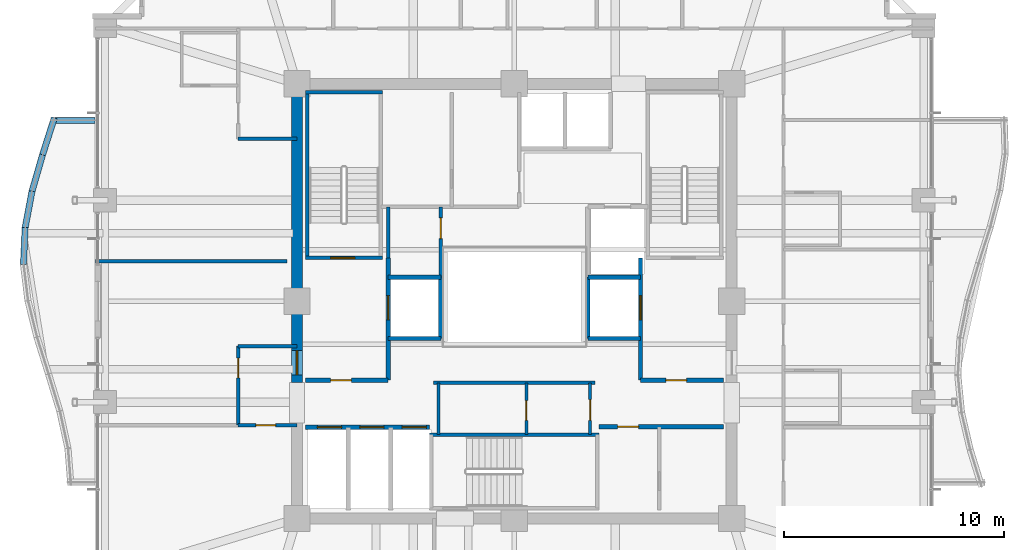
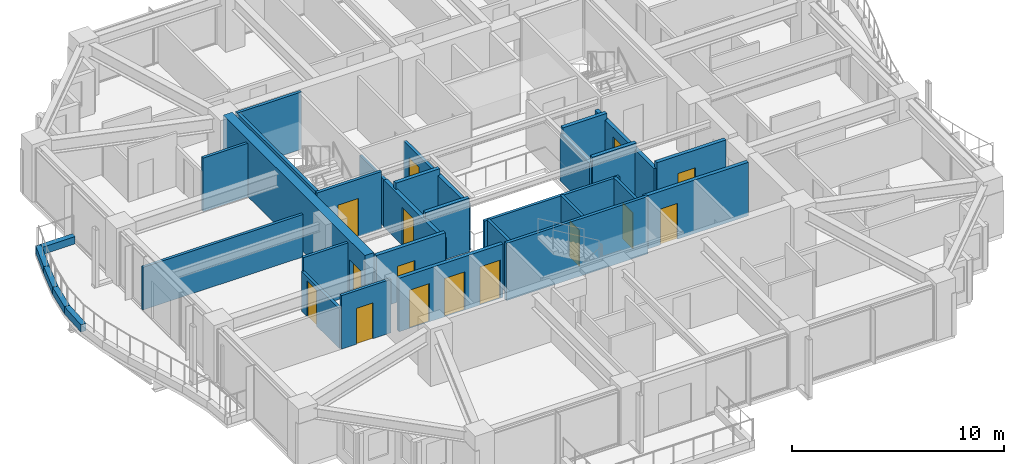
# One storey, part 32 of 38: 33 walls, 15 doors, 15 openings.
"""IFC4 building model written with IfcOpenShell, lengths in metres."""

from ifc_helpers import new_model, si_unit, direction, frame, frame_2d, origin, place, context, subcontext, project, spatial, rectangle, extrude, material, layer, layer_set, type_object, element, fill, save


model = new_model("IFC4")

# Units and contexts
model_context = context("Model", 3, precision=1e-05, world=origin(), true_north=direction((0.0, 1.0)))
body_context = subcontext(model_context, "Body", "Model", "MODEL_VIEW")
ifc_project = project(units=[si_unit("LENGTHUNIT", "METRE"), si_unit("AREAUNIT", "SQUARE_METRE"), si_unit("VOLUMEUNIT", "CUBIC_METRE"), si_unit("PLANEANGLEUNIT", "RADIAN"), si_unit("MASSUNIT", "GRAM", prefix="KILO")], contexts=[model_context])

# Site, building, storey
site_placement = place(None, origin())
site = spatial("IfcSite", under=ifc_project, at=site_placement, CompositionType="ELEMENT")
building_placement = place(site_placement, origin())
building = spatial("IfcBuilding", under=site, at=building_placement, Name="Kolvaren Belvedere", CompositionType="ELEMENT")
storey_placement = place(building_placement, frame((0.0, 0.0, 121.699951171875)))
storey = spatial("IfcBuildingStorey", under=building, at=storey_placement, Name="L35", CompositionType="ELEMENT", Elevation=121.699951171875)

# Wall, opening, door
ifc_material_1 = material(Name="Concrete C50/60", Category="concrete")
ifc_layer_1 = layer(ifc_material_1, 0.5)
ifc_layer_set_1 = layer_set([ifc_layer_1], Name="Concrete C50/60")
wall_type_1 = type_object("IfcWallType", Name="CW-CORE-500", PredefinedType="SHEAR", material=ifc_layer_set_1)
wall_1_placement = place(storey_placement, frame((-9.89990234375, -3.699951171875, 0.0), z_axis=(0.0, 0.0, 1.0), x_axis=(0.0, 1.0, 0.0)))
wall_1 = element("IfcWall", 1, at=wall_1_placement, inside=storey, type_object=wall_type_1, Name="L35 West Core Shear Wall 2", PredefinedType="SHEAR", context=body_context, shape_type="SweptSolid", body=[
    extrude(rectangle(XDim=13.349853515625, YDim=0.5, at=frame_2d((6.6748046875, 0.0))), origin(), (0.0, 0.0, 1.0), 3.300048828125),
])
opening_1_placement = place(wall_1_placement, frame((0.35009765625, 0.0, 0.0)))
opening_1 = element("IfcOpeningElement", 2, at=opening_1_placement, cuts=wall_1, Name="Opening D-FD90", PredefinedType="OPENING", context=body_context, shape_type="SweptSolid", body=[
    extrude(rectangle(XDim=1.10009765625, YDim=2.199951171875, at=frame_2d((0.550048828125, 1.10009765625))), frame((0.0, 0.260009765625, 0.0), z_axis=(0.0, -1.0, 0.0), x_axis=(1.0, 0.0, 0.0)), (0.0, 0.0, 1.0), 0.52001953125),
])
ifc_material_2 = material(Name="Painted hollow stainless steel", Category="steel")
door_type_1 = type_object("IfcDoorType", Name="DR-FD90-1100", OperationType="NOTDEFINED", PredefinedType="DOOR", material=ifc_material_2)
door_1_placement = place(opening_1_placement, origin())
door_1 = element("IfcDoor", 3, at=door_1_placement, inside=storey, type_object=door_type_1, Name="L35 West Firefighting Lobby Fire Door", OperationType="SINGLE_SWING_LEFT", OverallHeight=2.199951171875, OverallWidth=1.10009765625, PredefinedType="DOOR", context=body_context, shape_type="SweptSolid", body=[
    extrude(rectangle(XDim=1.10009765625, YDim=2.199951171875, at=frame_2d((0.550048828125, 1.10009765625))), frame((0.0, 0.02490234375, 0.0), z_axis=(0.0, -1.0, 0.0), x_axis=(1.0, 0.0, 0.0)), (0.0, 0.0, 1.0), 0.050048828125),
])
fill(opening_1, door_1)

ifc_material_3 = material(Name="Concrete C50/60", Category="concrete")
ifc_layer_2 = layer(ifc_material_3, 0.159912109375)
ifc_layer_set_2 = layer_set([ifc_layer_2], Name="Concrete C50/60")
wall_type_2 = type_object("IfcWallType", Name="CW-STAIR-160", PredefinedType="SHEAR", material=ifc_layer_set_2)
wall_2_placement = place(storey_placement, frame((-9.52001953125, 1.969970703125, 0.0), z_axis=(0.0, 0.0, 1.0), x_axis=(1.0, 0.0, 0.0)))
wall_2 = element("IfcWall", 4, at=wall_2_placement, inside=storey, type_object=wall_type_2, Name="L35 Stair ST-1 South Shear Wall", PredefinedType="SHEAR", context=body_context, shape_type="SweptSolid", body=[
    extrude(rectangle(XDim=3.52001953125, YDim=0.159912109375, at=frame_2d((1.760009765625, 0.0))), origin(), (0.0, 0.0, 1.0), 3.300048828125),
])
opening_2_placement = place(wall_2_placement, frame((1.14990234375, 0.0, 0.0)))
opening_2 = element("IfcOpeningElement", 5, at=opening_2_placement, cuts=wall_2, Name="Opening D-FD90", PredefinedType="OPENING", context=body_context, shape_type="SweptSolid", body=[
    extrude(rectangle(XDim=1.10009765625, YDim=2.199951171875, at=frame_2d((0.550048828125, 1.10009765625))), frame((0.0, 0.08984375, 0.0), z_axis=(0.0, -1.0, 0.0), x_axis=(1.0, 0.0, 0.0)), (0.0, 0.0, 1.0), 0.179931640625),
])
door_2_placement = place(opening_2_placement, origin())
door_2 = element("IfcDoor", 6, at=door_2_placement, inside=storey, type_object=door_type_1, Name="L35 Stair ST-1 Fire Door", OperationType="SINGLE_SWING_LEFT", OverallHeight=2.199951171875, OverallWidth=1.10009765625, PredefinedType="DOOR", context=body_context, shape_type="SweptSolid", body=[
    extrude(rectangle(XDim=1.10009765625, YDim=2.199951171875, at=frame_2d((0.550048828125, 1.10009765625))), frame((0.0, 0.02490234375, 0.0), z_axis=(0.0, -1.0, 0.0), x_axis=(1.0, 0.0, 0.0)), (0.0, 0.0, 1.0), 0.050048828125),
])
fill(opening_2, door_2)

# Walls
wall_3_placement = place(storey_placement, frame((-9.52001953125, 9.530029296875, 0.0), z_axis=(0.0, 0.0, 1.0), x_axis=(1.0, 0.0, 0.0)))
element("IfcWall", 7, at=wall_3_placement, inside=storey, type_object=wall_type_2, Name="L35 Stair ST-1 North Shear Wall", PredefinedType="SHEAR", context=body_context, shape_type="SweptSolid", body=[
    extrude(rectangle(XDim=3.52001953125, YDim=0.159912109375, at=frame_2d((1.760009765625, 0.0))), origin(), (0.0, 0.0, 1.0), 3.300048828125),
])
wall_4_placement = place(storey_placement, frame((-9.429931640625, 1.969970703125, 0.0), z_axis=(0.0, 0.0, 1.0), x_axis=(0.0, 1.0, 0.0)))
element("IfcWall", 8, at=wall_4_placement, inside=storey, type_object=wall_type_2, Name="L35 Stair ST-1 West Shear Wall", PredefinedType="SHEAR", context=body_context, shape_type="SweptSolid", body=[
    extrude(rectangle(XDim=7.56005859375, YDim=0.159912109375, at=frame_2d((3.780029296875, 0.0))), origin(), (0.0, 0.0, 1.0), 3.300048828125),
])
wall_5_placement = place(storey_placement, frame((-3.860107421875, -6.080078125, 0.0), z_axis=(0.0, 0.0, 1.0), x_axis=(1.0, 0.0, 0.0)))
element("IfcWall", 9, at=wall_5_placement, inside=storey, type_object=wall_type_2, Name="L35 Stair ST-3 North Shear Wall", PredefinedType="SHEAR", context=body_context, shape_type="SweptSolid", body=[
    extrude(rectangle(XDim=7.72021484375, YDim=0.159912109375, at=frame_2d((3.860107421875, 0.0))), origin(), (0.0, 0.0, 1.0), 3.300048828125),
])
ifc_material_4 = material(Name="Gypsum fire-rated partition assembly", Category="gypsum")
ifc_layer_3 = layer(ifc_material_4, 0.14990234375)
ifc_layer_set_3 = layer_set([ifc_layer_3], Name="Gypsum fire-rated partition assembly")
wall_type_3 = type_object("IfcWallType", Name="WL-CORR-150", PredefinedType="PARTITIONING", material=ifc_layer_set_3)
wall_6_placement = place(storey_placement, frame((-12.580078125, 7.39990234375, 0.0), z_axis=(0.0, 0.0, 1.0), x_axis=(1.0, 0.0, 0.0)))
element("IfcWall", 10, at=wall_6_placement, inside=storey, type_object=wall_type_3, Name="L35 NW Core Closure Wall", PredefinedType="PARTITIONING", context=body_context, shape_type="SweptSolid", body=[
    extrude(rectangle(XDim=2.68017578125, YDim=0.14990234375, at=frame_2d((1.340087890625, 0.0))), origin(), (0.0, 0.0, 1.0), 3.080078125),
])

# Wall, opening, door
wall_7_placement = place(storey_placement, frame((-12.580078125, -5.64990234375, 0.0), z_axis=(0.0, 0.0, 1.0), x_axis=(0.0, 1.0, 0.0)))
wall_7 = element("IfcWall", 11, at=wall_7_placement, inside=storey, type_object=wall_type_3, Name="L35 West FSAE Pocket Wall", PredefinedType="PARTITIONING", context=body_context, shape_type="SweptSolid", body=[
    extrude(rectangle(XDim=3.599853515625, YDim=0.14990234375, at=frame_2d((1.7998046875, 0.0))), origin(), (0.0, 0.0, 1.0), 2.2919921875),
])
opening_3_placement = place(wall_7_placement, frame((2.15625, 0.0, 0.0)))
opening_3 = element("IfcOpeningElement", 12, at=opening_3_placement, cuts=wall_7, Name="Opening D-INT90", PredefinedType="OPENING", context=body_context, shape_type="SweptSolid", body=[
    extrude(rectangle(XDim=0.89990234375, YDim=2.06005859375, at=frame_2d((0.449951171875, 1.030029296875))), frame((0.0, 0.0849609375, 0.0), z_axis=(0.0, -1.0, 0.0), x_axis=(1.0, 0.0, 0.0)), (0.0, 0.0, 1.0), 0.169921875),
])
ifc_material_5 = material(Name="Stained Pacific white oak", Category="timber")
door_type_2 = type_object("IfcDoorType", Name="DR-INT-900", OperationType="NOTDEFINED", PredefinedType="DOOR", material=ifc_material_5)
door_3_placement = place(opening_3_placement, origin())
door_3 = element("IfcDoor", 13, at=door_3_placement, inside=storey, type_object=door_type_2, Name="L35 Lounge 3510 Door", OperationType="SINGLE_SWING_LEFT", OverallHeight=2.06005859375, OverallWidth=0.89990234375, PredefinedType="DOOR", context=body_context, shape_type="SweptSolid", body=[
    extrude(rectangle(XDim=0.89990234375, YDim=2.06005859375, at=frame_2d((0.449951171875, 1.030029296875))), frame((0.0, 0.02490234375, 0.0), z_axis=(0.0, -1.0, 0.0), x_axis=(1.0, 0.0, 0.0)), (0.0, 0.0, 1.0), 0.050048828125),
])
fill(opening_3, door_3)

# Wall
wall_8_placement = place(storey_placement, frame((-12.580078125, -2.050048828125, 0.0), z_axis=(0.0, 0.0, 1.0), x_axis=(1.0, 0.0, 0.0)))
element("IfcWall", 14, at=wall_8_placement, inside=storey, type_object=wall_type_3, Name="L35 West Pocket North Closure Wall", PredefinedType="PARTITIONING", context=body_context, shape_type="SweptSolid", body=[
    extrude(rectangle(XDim=2.68017578125, YDim=0.14990234375, at=frame_2d((1.340087890625, 0.0))), origin(), (0.0, 0.0, 1.0), 3.080078125),
])

# Wall, opening, door
wall_9_placement = place(storey_placement, frame((-12.580078125, -5.64990234375, 0.0), z_axis=(0.0, 0.0, 1.0), x_axis=(1.0, 0.0, 0.0)))
wall_9 = element("IfcWall", 15, at=wall_9_placement, inside=storey, type_object=wall_type_3, Name="L35 West Pocket South Closure Wall", PredefinedType="PARTITIONING", context=body_context, shape_type="SweptSolid", body=[
    extrude(rectangle(XDim=2.68017578125, YDim=0.14990234375, at=frame_2d((1.340087890625, 0.0))), origin(), (0.0, 0.0, 1.0), 3.080078125),
])
opening_4_placement = place(wall_9_placement, frame((0.80615234375, 0.0, 0.0)))
opening_4 = element("IfcOpeningElement", 16, at=opening_4_placement, cuts=wall_9, Name="Opening D-INT90", PredefinedType="OPENING", context=body_context, shape_type="SweptSolid", body=[
    extrude(rectangle(XDim=0.89990234375, YDim=2.06005859375, at=frame_2d((0.449951171875, 1.030029296875))), frame((0.0, 0.0849609375, 0.0), z_axis=(0.0, -1.0, 0.0), x_axis=(1.0, 0.0, 0.0)), (0.0, 0.0, 1.0), 0.169921875),
])
door_4_placement = place(opening_4_placement, origin())
door_4 = element("IfcDoor", 17, at=door_4_placement, inside=storey, type_object=door_type_2, Name="L35 Lounge 3511 Door", OperationType="SINGLE_SWING_RIGHT", OverallHeight=2.06005859375, OverallWidth=0.89990234375, PredefinedType="DOOR", context=body_context, shape_type="SweptSolid", body=[
    extrude(rectangle(XDim=0.89990234375, YDim=2.06005859375, at=frame_2d((0.449951171875, 1.030029296875))), frame((0.0, 0.02490234375, 0.0), z_axis=(0.0, -1.0, 0.0), x_axis=(1.0, 0.0, 0.0)), (0.0, 0.0, 1.0), 0.050048828125),
])
fill(opening_4, door_4)

# Wall
ifc_material_6 = material(Name="Gypsum acoustic partition assembly", Category="gypsum")
ifc_layer_4 = layer(ifc_material_6, 0.14990234375)
ifc_layer_set_4 = layer_set([ifc_layer_4], Name="Gypsum acoustic partition assembly")
wall_type_4 = type_object("IfcWallType", Name="WL-PART-150", PredefinedType="PARTITIONING", material=ifc_layer_set_4)
wall_10_placement = place(storey_placement, frame((-3.679931640625, -3.719970703125, 0.0), z_axis=(0.0, 0.0, 1.0), x_axis=(1.0, 0.0, 0.0)))
element("IfcWall", 18, at=wall_10_placement, inside=storey, type_object=wall_type_4, Name="L35 South Core Service North Wall", PredefinedType="PARTITIONING", context=body_context, shape_type="SweptSolid", body=[
    extrude(rectangle(XDim=7.35986328125, YDim=0.14990234375, at=frame_2d((3.679931640625, 0.0))), origin(), (0.0, 0.0, 1.0), 3.080078125),
])

# Wall, opening, door
wall_11_placement = place(storey_placement, frame((3.449951171875, -6.080078125, 0.0), z_axis=(0.0, 0.0, 1.0), x_axis=(0.0, 1.0, 0.0)))
wall_11 = element("IfcWall", 19, at=wall_11_placement, inside=storey, type_object=wall_type_4, Name="L35 South Core Service East Wall", PredefinedType="PARTITIONING", context=body_context, shape_type="SweptSolid", body=[
    extrude(rectangle(XDim=2.360107421875, YDim=0.14990234375, at=frame_2d((1.18017578125, 0.0))), origin(), (0.0, 0.0, 1.0), 3.080078125),
])
opening_5_placement = place(wall_11_placement, frame((0.64990234375, 0.0, 0.0)))
opening_5 = element("IfcOpeningElement", 20, at=opening_5_placement, cuts=wall_11, Name="Opening D-FD60", PredefinedType="OPENING", context=body_context, shape_type="SweptSolid", body=[
    extrude(rectangle(XDim=0.949951171875, YDim=2.06005859375, at=frame_2d((0.47509765625, 1.030029296875))), frame((0.0, 0.0849609375, 0.0), z_axis=(0.0, -1.0, 0.0), x_axis=(1.0, 0.0, 0.0)), (0.0, 0.0, 1.0), 0.169921875),
])
ifc_material_7 = material(Name="Acoustic white-oak fire door leaf", Category="timber")
door_type_3 = type_object("IfcDoorType", Name="DR-FD60-950", OperationType="NOTDEFINED", PredefinedType="DOOR", material=ifc_material_7)
door_5_placement = place(opening_5_placement, origin())
door_5 = element("IfcDoor", 21, at=door_5_placement, inside=storey, type_object=door_type_3, Name="L35 Core Service Room Door", OperationType="SINGLE_SWING_LEFT", OverallHeight=2.06005859375, OverallWidth=0.949951171875, PredefinedType="DOOR", context=body_context, shape_type="SweptSolid", body=[
    extrude(rectangle(XDim=0.949951171875, YDim=2.06005859375, at=frame_2d((0.47509765625, 1.030029296875))), frame((0.0, 0.02490234375, 0.0), z_axis=(0.0, -1.0, 0.0), x_axis=(1.0, 0.0, 0.0)), (0.0, 0.0, 1.0), 0.050048828125),
])
fill(opening_5, door_5)

# Wall
wall_12_placement = place(storey_placement, frame((-3.449951171875, -6.080078125, 0.0), z_axis=(0.0, 0.0, 1.0), x_axis=(0.0, 1.0, 0.0)))
element("IfcWall", 22, at=wall_12_placement, inside=storey, type_object=wall_type_4, Name="L35 South Core Service West Wall", PredefinedType="PARTITIONING", context=body_context, shape_type="SweptSolid", body=[
    extrude(rectangle(XDim=2.360107421875, YDim=0.14990234375, at=frame_2d((1.18017578125, 0.0))), origin(), (0.0, 0.0, 1.0), 3.080078125),
])

# Wall, opening, door
wall_13_placement = place(storey_placement, frame((0.550048828125, -6.080078125, 0.0), z_axis=(0.0, 0.0, 1.0), x_axis=(0.0, 1.0, 0.0)))
wall_13 = element("IfcWall", 23, at=wall_13_placement, inside=storey, type_object=wall_type_4, Name="L35 Core Service Divider", PredefinedType="PARTITIONING", context=body_context, shape_type="SweptSolid", body=[
    extrude(rectangle(XDim=2.360107421875, YDim=0.14990234375, at=frame_2d((1.18017578125, 0.0))), origin(), (0.0, 0.0, 1.0), 3.080078125),
])
opening_6_placement = place(wall_13_placement, frame((0.64990234375, 0.0, 0.0)))
opening_6 = element("IfcOpeningElement", 24, at=opening_6_placement, cuts=wall_13, Name="Opening D-INT90", PredefinedType="OPENING", context=body_context, shape_type="SweptSolid", body=[
    extrude(rectangle(XDim=0.89990234375, YDim=2.06005859375, at=frame_2d((0.449951171875, 1.030029296875))), frame((0.0, 0.0849609375, 0.0), z_axis=(0.0, -1.0, 0.0), x_axis=(1.0, 0.0, 0.0)), (0.0, 0.0, 1.0), 0.169921875),
])
door_6_placement = place(opening_6_placement, origin())
door_6 = element("IfcDoor", 25, at=door_6_placement, inside=storey, type_object=door_type_2, Name="L35 BMS Inner Door", OperationType="SINGLE_SWING_LEFT", OverallHeight=2.06005859375, OverallWidth=0.89990234375, PredefinedType="DOOR", context=body_context, shape_type="SweptSolid", body=[
    extrude(rectangle(XDim=0.89990234375, YDim=2.06005859375, at=frame_2d((0.449951171875, 1.030029296875))), frame((0.0, 0.02490234375, 0.0), z_axis=(0.0, -1.0, 0.0), x_axis=(1.0, 0.0, 0.0)), (0.0, 0.0, 1.0), 0.050048828125),
])
fill(opening_6, door_6)

wall_14_placement = place(storey_placement, frame((-3.35009765625, 1.10009765625, 0.0), z_axis=(0.0, 0.0, 1.0), x_axis=(0.0, 1.0, 0.0)))
wall_14 = element("IfcWall", 26, at=wall_14_placement, inside=storey, type_object=wall_type_4, Name="L35 NW Service Room East Wall", PredefinedType="PARTITIONING", context=body_context, shape_type="SweptSolid", body=[
    extrude(rectangle(XDim=3.199951171875, YDim=0.14990234375, at=frame_2d((1.60009765625, 0.0))), origin(), (0.0, 0.0, 1.0), 2.715087890625),
])
opening_7_placement = place(wall_14_placement, frame((1.75, 0.0, 0.0)))
opening_7 = element("IfcOpeningElement", 27, at=opening_7_placement, cuts=wall_14, Name="Opening D-FD60", PredefinedType="OPENING", context=body_context, shape_type="SweptSolid", body=[
    extrude(rectangle(XDim=0.949951171875, YDim=2.06005859375, at=frame_2d((0.47509765625, 1.030029296875))), frame((0.0, 0.0849609375, 0.0), z_axis=(0.0, -1.0, 0.0), x_axis=(1.0, 0.0, 0.0)), (0.0, 0.0, 1.0), 0.169921875),
])
door_7_placement = place(opening_7_placement, origin())
door_7 = element("IfcDoor", 28, at=door_7_placement, inside=storey, type_object=door_type_3, Name="L35 NW Core Store Door", OperationType="SINGLE_SWING_LEFT", OverallHeight=2.06005859375, OverallWidth=0.949951171875, PredefinedType="DOOR", context=body_context, shape_type="SweptSolid", body=[
    extrude(rectangle(XDim=0.949951171875, YDim=2.06005859375, at=frame_2d((0.47509765625, 1.030029296875))), frame((0.0, 0.02490234375, 0.0), z_axis=(0.0, -1.0, 0.0), x_axis=(1.0, 0.0, 0.0)), (0.0, 0.0, 1.0), 0.050048828125),
])
fill(opening_7, door_7)

# Walls
wall_15_placement = place(storey_placement, frame((-5.75, 1.969970703125, 0.0), z_axis=(0.0, 0.0, 1.0), x_axis=(0.0, 1.0, 0.0)))
element("IfcWall", 29, at=wall_15_placement, inside=storey, type_object=wall_type_4, Name="L35 NW Service Room West Wall", PredefinedType="PARTITIONING", context=body_context, shape_type="SweptSolid", body=[
    extrude(rectangle(XDim=2.330078125, YDim=0.14990234375, at=frame_2d((1.1650390625, 0.0))), origin(), (0.0, 0.0, 1.0), 2.715087890625),
])
wall_16_placement = place(storey_placement, frame((-19.080078125, 1.820068359375, 0.0), z_axis=(0.0, 0.0, 1.0), x_axis=(1.0, 0.0, 0.0)))
element("IfcWall", 30, at=wall_16_placement, inside=storey, type_object=wall_type_4, Name="L35 West Upper Suite Divider", PredefinedType="PARTITIONING", context=body_context, shape_type="SweptSolid", body=[
    extrude(rectangle(XDim=8.719970703125, YDim=0.14990234375, at=frame_2d((4.35986328125, 0.0))), origin(), (0.0, 0.0, 1.0), 2.448974609375),
])
ifc_material_8 = material(Name="Precast concrete C40/50", Category="concrete")
ifc_layer_5 = layer(ifc_material_8, 0.300048828125)
ifc_layer_set_5 = layer_set([ifc_layer_5], Name="Precast concrete C40/50")
wall_type_5 = type_object("IfcWallType", Name="WL-PLANTER-300", PredefinedType="PARAPET", material=ifc_layer_set_5)
wall_17_placement = place(storey_placement, frame((-20.953857421875, 8.351318359375, -0.0400390625), z_axis=(0.0, 0.0, 1.0), x_axis=(-0.304032153573, -0.952661770826, 0.0)))
element("IfcWall", 31, at=wall_17_placement, inside=storey, type_object=wall_type_5, Name="L35 Precast Structural Planter Wall BAL-W-1", PredefinedType="PARAPET", context=body_context, shape_type="SweptSolid", body=[
    extrude(rectangle(XDim=1.763427734375, YDim=0.280029296875, at=frame_2d((0.8818359375, 0.0))), origin(), (0.0, 0.0, 1.0), 0.420166015625),
])
wall_18_placement = place(storey_placement, frame((-21.48876953125, 6.675537109375, -0.0400390625), z_axis=(0.0, 0.0, 1.0), x_axis=(-0.277817391164, -0.960633903819, 0.0)))
element("IfcWall", 32, at=wall_18_placement, inside=storey, type_object=wall_type_5, Name="L35 Precast Structural Planter Wall BAL-W-2", PredefinedType="PARAPET", context=body_context, shape_type="SweptSolid", body=[
    extrude(rectangle(XDim=1.748779296875, YDim=0.280029296875, at=frame_2d((0.87451171875, 0.0))), origin(), (0.0, 0.0, 1.0), 0.420166015625),
])
wall_19_placement = place(storey_placement, frame((-21.97119140625, 5.010498046875, -0.0400390625), z_axis=(0.0, 0.0, 1.0), x_axis=(-0.184788595231, -0.982778293957, 0.0)))
element("IfcWall", 33, at=wall_19_placement, inside=storey, type_object=wall_type_5, Name="L35 Precast Structural Planter Wall BAL-W-3", PredefinedType="PARAPET", context=body_context, shape_type="SweptSolid", body=[
    extrude(rectangle(XDim=1.709716796875, YDim=0.280029296875, at=frame_2d((0.85498046875, 0.0))), origin(), (0.0, 0.0, 1.0), 0.420166015625),
])
wall_20_placement = place(storey_placement, frame((-22.284423828125, 3.352783203125, -0.0400390625), z_axis=(0.0, 0.0, 1.0), x_axis=(-0.045005941428, -0.998986719249, 0.0)))
element("IfcWall", 34, at=wall_20_placement, inside=storey, type_object=wall_type_5, Name="L35 Precast Structural Planter Wall BAL-W-4", PredefinedType="PARAPET", context=body_context, shape_type="SweptSolid", body=[
    extrude(rectangle(XDim=1.681640625, YDim=0.280029296875, at=frame_2d((0.8408203125, 0.0))), origin(), (0.0, 0.0, 1.0), 0.420166015625),
])
wall_21_placement = place(storey_placement, frame((-19.10009765625, 8.239990234375, -0.0400390625), z_axis=(0.0, 0.0, 1.0), x_axis=(-1.0, 0.0, 0.0)))
element("IfcWall", 35, at=wall_21_placement, inside=storey, type_object=wall_type_5, Name="L35 Precast Structural Planter Wall BAL-W-22", PredefinedType="PARAPET", context=body_context, shape_type="SweptSolid", body=[
    extrude(rectangle(XDim=2.006103515625, YDim=0.280029296875, at=frame_2d((1.0029296875, 0.0))), origin(), (0.0, 0.0, 1.0), 0.420166015625),
])

# Wall, opening, door
ifc_material_9 = material(Name="Concrete C50/60", Category="concrete")
ifc_layer_6 = layer(ifc_material_9, 0.199951171875)
ifc_layer_set_6 = layer_set([ifc_layer_6], Name="Concrete C50/60")
wall_type_6 = type_object("IfcWallType", Name="WL-SHAFT-200", PredefinedType="SOLIDWALL", material=ifc_layer_set_6)
wall_22_placement = place(storey_placement, frame((-9.52001953125, -3.60009765625, 0.0), z_axis=(0.0, 0.0, 1.0), x_axis=(1.0, 0.0, 0.0)))
wall_22 = element("IfcWall", 36, at=wall_22_placement, inside=storey, type_object=wall_type_6, Name="L35 West FSAE Lobby South Wall", PredefinedType="SOLIDWALL", context=body_context, shape_type="SweptSolid", body=[
    extrude(rectangle(XDim=3.77001953125, YDim=0.199951171875, at=frame_2d((1.885009765625, 0.0))), origin(), (0.0, 0.0, 1.0), 3.080078125),
])
opening_8_placement = place(wall_22_placement, frame((1.14990234375, 0.0, 0.0)))
opening_8 = element("IfcOpeningElement", 37, at=opening_8_placement, cuts=wall_22, Name="Opening D-FD60", PredefinedType="OPENING", context=body_context, shape_type="SweptSolid", body=[
    extrude(rectangle(XDim=0.949951171875, YDim=2.06005859375, at=frame_2d((0.47509765625, 1.030029296875))), frame((0.0, 0.10986328125, 0.0), z_axis=(0.0, -1.0, 0.0), x_axis=(1.0, 0.0, 0.0)), (0.0, 0.0, 1.0), 0.219970703125),
])
door_8_placement = place(opening_8_placement, origin())
door_8 = element("IfcDoor", 38, at=door_8_placement, inside=storey, type_object=door_type_3, Name="L35 Mid-Rise Lift Lobby Fire Door", OperationType="SINGLE_SWING_LEFT", OverallHeight=2.06005859375, OverallWidth=0.949951171875, PredefinedType="DOOR", context=body_context, shape_type="SweptSolid", body=[
    extrude(rectangle(XDim=0.949951171875, YDim=2.06005859375, at=frame_2d((0.47509765625, 1.030029296875))), frame((0.0, 0.02490234375, 0.0), z_axis=(0.0, -1.0, 0.0), x_axis=(1.0, 0.0, 0.0)), (0.0, 0.0, 1.0), 0.050048828125),
])
fill(opening_8, door_8)

wall_23_placement = place(storey_placement, frame((-5.75, -3.60009765625, 0.0), z_axis=(0.0, 0.0, 1.0), x_axis=(0.0, 1.0, 0.0)))
wall_23 = element("IfcWall", 39, at=wall_23_placement, inside=storey, type_object=wall_type_6, Name="L35 FSAE FS1 Landing Wall", PredefinedType="SOLIDWALL", context=body_context, shape_type="SweptSolid", body=[
    extrude(rectangle(XDim=5.570068359375, YDim=0.199951171875, at=frame_2d((2.78515625, 0.0))), origin(), (0.0, 0.0, 1.0), 2.715087890625),
])
opening_9_placement = place(wall_23_placement, frame((2.75, 0.0, 0.0)))
opening_9 = element("IfcOpeningElement", 40, at=opening_9_placement, cuts=wall_23, Name="Opening LD-11", PredefinedType="OPENING", context=body_context, shape_type="SweptSolid", body=[
    extrude(rectangle(XDim=1.10009765625, YDim=2.199951171875, at=frame_2d((0.550048828125, 1.10009765625))), frame((0.0, 0.10986328125, 0.0), z_axis=(0.0, -1.0, 0.0), x_axis=(1.0, 0.0, 0.0)), (0.0, 0.0, 1.0), 0.219970703125),
])
ifc_material_10 = material(Name="Brushed stainless steel", Category="steel")
door_type_4 = type_object("IfcDoorType", Name="DR-LIFT-1100", OperationType="DOUBLE_DOOR_SLIDING", PredefinedType="DOOR", material=ifc_material_10)
door_9_placement = place(opening_9_placement, origin())
door_9 = element("IfcDoor", 41, at=door_9_placement, inside=storey, type_object=door_type_4, Name="L35 Firefighting Lift FS1 Landing Door", OperationType="DOUBLE_DOOR_SLIDING", OverallHeight=2.199951171875, OverallWidth=1.10009765625, PredefinedType="DOOR", context=body_context, shape_type="SweptSolid", body=[
    extrude(rectangle(XDim=1.10009765625, YDim=2.199951171875, at=frame_2d((0.550048828125, 1.10009765625))), frame((0.0, 0.02490234375, 0.0), z_axis=(0.0, -1.0, 0.0), x_axis=(1.0, 0.0, 0.0)), (0.0, 0.0, 1.0), 0.050048828125),
])
fill(opening_9, door_9)

# Walls
wall_24_placement = place(storey_placement, frame((-3.35009765625, -1.699951171875, 0.0), z_axis=(0.0, 0.0, 1.0), x_axis=(0.0, 1.0, 0.0)))
element("IfcWall", 42, at=wall_24_placement, inside=storey, type_object=wall_type_6, Name="L35 FSAE FS1 Back Wall", PredefinedType="SOLIDWALL", context=body_context, shape_type="SweptSolid", body=[
    extrude(rectangle(XDim=2.800048828125, YDim=0.199951171875, at=frame_2d((1.39990234375, 0.0))), origin(), (0.0, 0.0, 1.0), 2.715087890625),
])
for number, where, z_axis, x_axis, name in (
    (43, (-5.75, -1.699951171875, 0.0), (0.0, 0.0, 1.0), (1.0, 0.0, 0.0), "L35 FSAE FS1 South Wall"),
    (44, (-5.75, 1.10009765625, 0.0), (0.0, 0.0, 1.0), (1.0, 0.0, 0.0), "L35 FSAE FS1 North Wall"),
):
    element("IfcWall", number, at=place(storey_placement, frame(where, z_axis=z_axis, x_axis=x_axis)), inside=storey, type_object=wall_type_6, Name=name, PredefinedType="SOLIDWALL", context=body_context, shape_type="SweptSolid", body=[
        extrude(rectangle(XDim=2.39990234375, YDim=0.199951171875, at=frame_2d((1.199951171875, 0.0))), origin(), (0.0, 0.0, 1.0), 3.080078125),
    ])

# Wall, opening, door
wall_25_placement = place(storey_placement, frame((5.75, -3.60009765625, 0.0), z_axis=(0.0, 0.0, 1.0), x_axis=(1.0, 0.0, 0.0)))
wall_25 = element("IfcWall", 45, at=wall_25_placement, inside=storey, type_object=wall_type_6, Name="L35 East FSAE Lobby South Wall", PredefinedType="SOLIDWALL", context=body_context, shape_type="SweptSolid", body=[
    extrude(rectangle(XDim=3.77001953125, YDim=0.199951171875, at=frame_2d((1.885009765625, 0.0))), origin(), (0.0, 0.0, 1.0), 3.080078125),
])
opening_10_placement = place(wall_25_placement, frame((1.14990234375, 0.0, 0.0)))
opening_10 = element("IfcOpeningElement", 46, at=opening_10_placement, cuts=wall_25, Name="Opening D-FD60", PredefinedType="OPENING", context=body_context, shape_type="SweptSolid", body=[
    extrude(rectangle(XDim=0.949951171875, YDim=2.06005859375, at=frame_2d((0.47509765625, 1.030029296875))), frame((0.0, 0.10986328125, 0.0), z_axis=(0.0, -1.0, 0.0), x_axis=(1.0, 0.0, 0.0)), (0.0, 0.0, 1.0), 0.219970703125),
])
door_10_placement = place(opening_10_placement, origin())
door_10 = element("IfcDoor", 47, at=door_10_placement, inside=storey, type_object=door_type_3, Name="L35 SE Lift Lobby Fire Door", OperationType="SINGLE_SWING_RIGHT", OverallHeight=2.06005859375, OverallWidth=0.949951171875, PredefinedType="DOOR", context=body_context, shape_type="SweptSolid", body=[
    extrude(rectangle(XDim=0.949951171875, YDim=2.06005859375, at=frame_2d((0.47509765625, 1.030029296875))), frame((0.0, 0.02490234375, 0.0), z_axis=(0.0, -1.0, 0.0), x_axis=(1.0, 0.0, 0.0)), (0.0, 0.0, 1.0), 0.050048828125),
])
fill(opening_10, door_10)

wall_26_placement = place(storey_placement, frame((5.75, -3.60009765625, 0.0), z_axis=(0.0, 0.0, 1.0), x_axis=(0.0, 1.0, 0.0)))
wall_26 = element("IfcWall", 48, at=wall_26_placement, inside=storey, type_object=wall_type_6, Name="L35 FSAE FS2 Landing Wall", PredefinedType="SOLIDWALL", context=body_context, shape_type="SweptSolid", body=[
    extrude(rectangle(XDim=5.570068359375, YDim=0.199951171875, at=frame_2d((2.78515625, 0.0))), origin(), (0.0, 0.0, 1.0), 2.715087890625),
])
opening_11_placement = place(wall_26_placement, frame((2.75, 0.0, 0.0)))
opening_11 = element("IfcOpeningElement", 49, at=opening_11_placement, cuts=wall_26, Name="Opening LD-11", PredefinedType="OPENING", context=body_context, shape_type="SweptSolid", body=[
    extrude(rectangle(XDim=1.10009765625, YDim=2.199951171875, at=frame_2d((0.550048828125, 1.10009765625))), frame((0.0, 0.10986328125, 0.0), z_axis=(0.0, -1.0, 0.0), x_axis=(1.0, 0.0, 0.0)), (0.0, 0.0, 1.0), 0.219970703125),
])
door_11_placement = place(opening_11_placement, origin())
door_11 = element("IfcDoor", 50, at=door_11_placement, inside=storey, type_object=door_type_4, Name="L35 Firefighting Lift FS2 Landing Door", OperationType="DOUBLE_DOOR_SLIDING", OverallHeight=2.199951171875, OverallWidth=1.10009765625, PredefinedType="DOOR", context=body_context, shape_type="SweptSolid", body=[
    extrude(rectangle(XDim=1.10009765625, YDim=2.199951171875, at=frame_2d((0.550048828125, 1.10009765625))), frame((0.0, 0.02490234375, 0.0), z_axis=(0.0, -1.0, 0.0), x_axis=(1.0, 0.0, 0.0)), (0.0, 0.0, 1.0), 0.050048828125),
])
fill(opening_11, door_11)

# Walls
wall_27_placement = place(storey_placement, frame((3.35009765625, -1.699951171875, 0.0), z_axis=(0.0, 0.0, 1.0), x_axis=(0.0, 1.0, 0.0)))
element("IfcWall", 51, at=wall_27_placement, inside=storey, type_object=wall_type_6, Name="L35 FSAE FS2 Back Wall", PredefinedType="SOLIDWALL", context=body_context, shape_type="SweptSolid", body=[
    extrude(rectangle(XDim=2.800048828125, YDim=0.199951171875, at=frame_2d((1.39990234375, 0.0))), origin(), (0.0, 0.0, 1.0), 2.715087890625),
])
for number, where, z_axis, x_axis, name in (
    (52, (3.35009765625, -1.699951171875, 0.0), (0.0, 0.0, 1.0), (1.0, 0.0, 0.0), "L35 FSAE FS2 South Wall"),
    (53, (3.35009765625, 1.10009765625, 0.0), (0.0, 0.0, 1.0), (1.0, 0.0, 0.0), "L35 FSAE FS2 North Wall"),
):
    element("IfcWall", number, at=place(storey_placement, frame(where, z_axis=z_axis, x_axis=x_axis)), inside=storey, type_object=wall_type_6, Name=name, PredefinedType="SOLIDWALL", context=body_context, shape_type="SweptSolid", body=[
        extrude(rectangle(XDim=2.39990234375, YDim=0.199951171875, at=frame_2d((1.199951171875, 0.0))), origin(), (0.0, 0.0, 1.0), 3.080078125),
    ])

# Wall, openings, doors
wall_28_placement = place(storey_placement, frame((-9.52001953125, -5.75, 0.0), z_axis=(0.0, 0.0, 1.0), x_axis=(1.0, 0.0, 0.0)))
wall_28 = element("IfcWall", 54, at=wall_28_placement, inside=storey, type_object=wall_type_6, Name="L35 Mid-Rise Lift Bank Front Wall", PredefinedType="SOLIDWALL", context=body_context, shape_type="SweptSolid", body=[
    extrude(rectangle(XDim=5.659912109375, YDim=0.199951171875, at=frame_2d((2.830078125, 0.0))), origin(), (0.0, 0.0, 1.0), 3.080078125),
])
opening_12_placement = place(wall_28_placement, frame((0.550048828125, 0.0, 0.0)))
opening_12 = element("IfcOpeningElement", 55, at=opening_12_placement, cuts=wall_28, Name="Opening LD-11", PredefinedType="OPENING", context=body_context, shape_type="SweptSolid", body=[
    extrude(rectangle(XDim=1.10009765625, YDim=2.199951171875, at=frame_2d((0.550048828125, 1.10009765625))), frame((0.0, 0.10986328125, 0.0), z_axis=(0.0, -1.0, 0.0), x_axis=(1.0, 0.0, 0.0)), (0.0, 0.0, 1.0), 0.219970703125),
])
opening_13_placement = place(wall_28_placement, frame((2.47998046875, 0.0, 0.0)))
opening_13 = element("IfcOpeningElement", 56, at=opening_13_placement, cuts=wall_28, Name="Opening LD-11", PredefinedType="OPENING", context=body_context, shape_type="SweptSolid", body=[
    extrude(rectangle(XDim=1.10009765625, YDim=2.199951171875, at=frame_2d((0.550048828125, 1.10009765625))), frame((0.0, 0.10986328125, 0.0), z_axis=(0.0, -1.0, 0.0), x_axis=(1.0, 0.0, 0.0)), (0.0, 0.0, 1.0), 0.219970703125),
])
opening_14_placement = place(wall_28_placement, frame((4.409912109375, 0.0, 0.0)))
opening_14 = element("IfcOpeningElement", 57, at=opening_14_placement, cuts=wall_28, Name="Opening LD-11", PredefinedType="OPENING", context=body_context, shape_type="SweptSolid", body=[
    extrude(rectangle(XDim=1.10009765625, YDim=2.199951171875, at=frame_2d((0.550048828125, 1.10009765625))), frame((0.0, 0.10986328125, 0.0), z_axis=(0.0, -1.0, 0.0), x_axis=(1.0, 0.0, 0.0)), (0.0, 0.0, 1.0), 0.219970703125),
])
door_12_placement = place(opening_12_placement, origin())
door_12 = element("IfcDoor", 58, at=door_12_placement, inside=storey, type_object=door_type_4, Name="L35 Passenger Lift P4 Landing Door", OperationType="DOUBLE_DOOR_SLIDING", OverallHeight=2.199951171875, OverallWidth=1.10009765625, PredefinedType="DOOR", context=body_context, shape_type="SweptSolid", body=[
    extrude(rectangle(XDim=1.10009765625, YDim=2.199951171875, at=frame_2d((0.550048828125, 1.10009765625))), frame((0.0, 0.02490234375, 0.0), z_axis=(0.0, -1.0, 0.0), x_axis=(1.0, 0.0, 0.0)), (0.0, 0.0, 1.0), 0.050048828125),
])
fill(opening_12, door_12)
door_13_placement = place(opening_13_placement, origin())
door_13 = element("IfcDoor", 59, at=door_13_placement, inside=storey, type_object=door_type_4, Name="L35 Passenger Lift P5 Landing Door", OperationType="DOUBLE_DOOR_SLIDING", OverallHeight=2.199951171875, OverallWidth=1.10009765625, PredefinedType="DOOR", context=body_context, shape_type="SweptSolid", body=[
    extrude(rectangle(XDim=1.10009765625, YDim=2.199951171875, at=frame_2d((0.550048828125, 1.10009765625))), frame((0.0, 0.02490234375, 0.0), z_axis=(0.0, -1.0, 0.0), x_axis=(1.0, 0.0, 0.0)), (0.0, 0.0, 1.0), 0.050048828125),
])
fill(opening_13, door_13)
door_14_placement = place(opening_14_placement, origin())
door_14 = element("IfcDoor", 60, at=door_14_placement, inside=storey, type_object=door_type_4, Name="L35 Passenger Lift P6 Landing Door", OperationType="DOUBLE_DOOR_SLIDING", OverallHeight=2.199951171875, OverallWidth=1.10009765625, PredefinedType="DOOR", context=body_context, shape_type="SweptSolid", body=[
    extrude(rectangle(XDim=1.10009765625, YDim=2.199951171875, at=frame_2d((0.550048828125, 1.10009765625))), frame((0.0, 0.02490234375, 0.0), z_axis=(0.0, -1.0, 0.0), x_axis=(1.0, 0.0, 0.0)), (0.0, 0.0, 1.0), 0.050048828125),
])
fill(opening_14, door_14)

# Wall, opening, door
wall_29_placement = place(storey_placement, frame((3.860107421875, -5.719970703125, 0.0), z_axis=(0.0, 0.0, 1.0), x_axis=(1.0, 0.0, 0.0)))
wall_29 = element("IfcWall", 61, at=wall_29_placement, inside=storey, type_object=wall_type_6, Name="L35 SE Core Distribution Wall", PredefinedType="SOLIDWALL", context=body_context, shape_type="SweptSolid", body=[
    extrude(rectangle(XDim=5.659912109375, YDim=0.199951171875, at=frame_2d((2.830078125, 0.0))), origin(), (0.0, 0.0, 1.0), 3.080078125),
])
opening_15_placement = place(wall_29_placement, frame((0.85009765625, 0.0, 0.0)))
opening_15 = element("IfcOpeningElement", 62, at=opening_15_placement, cuts=wall_29, Name="Opening D-FD60", PredefinedType="OPENING", context=body_context, shape_type="SweptSolid", body=[
    extrude(rectangle(XDim=0.949951171875, YDim=2.06005859375, at=frame_2d((0.47509765625, 1.030029296875))), frame((0.0, 0.10986328125, 0.0), z_axis=(0.0, -1.0, 0.0), x_axis=(1.0, 0.0, 0.0)), (0.0, 0.0, 1.0), 0.219970703125),
])
door_15_placement = place(opening_15_placement, origin())
door_15 = element("IfcDoor", 63, at=door_15_placement, inside=storey, type_object=door_type_3, Name="L35 SE Telecom Door", OperationType="SINGLE_SWING_RIGHT", OverallHeight=2.06005859375, OverallWidth=0.949951171875, PredefinedType="DOOR", context=body_context, shape_type="SweptSolid", body=[
    extrude(rectangle(XDim=0.949951171875, YDim=2.06005859375, at=frame_2d((0.47509765625, 1.030029296875))), frame((0.0, 0.02490234375, 0.0), z_axis=(0.0, -1.0, 0.0), x_axis=(1.0, 0.0, 0.0)), (0.0, 0.0, 1.0), 0.050048828125),
])
fill(opening_15, door_15)

save(model, "model.ifc")
